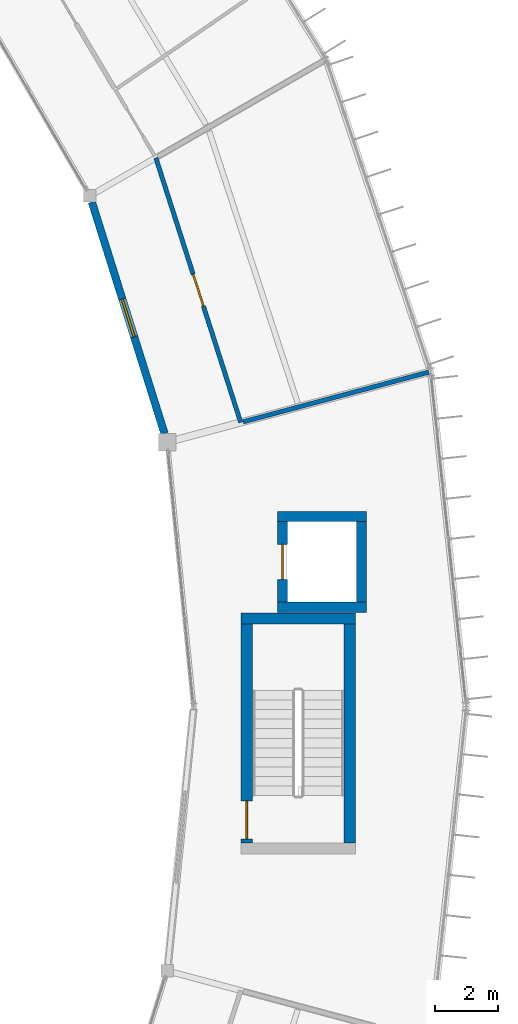
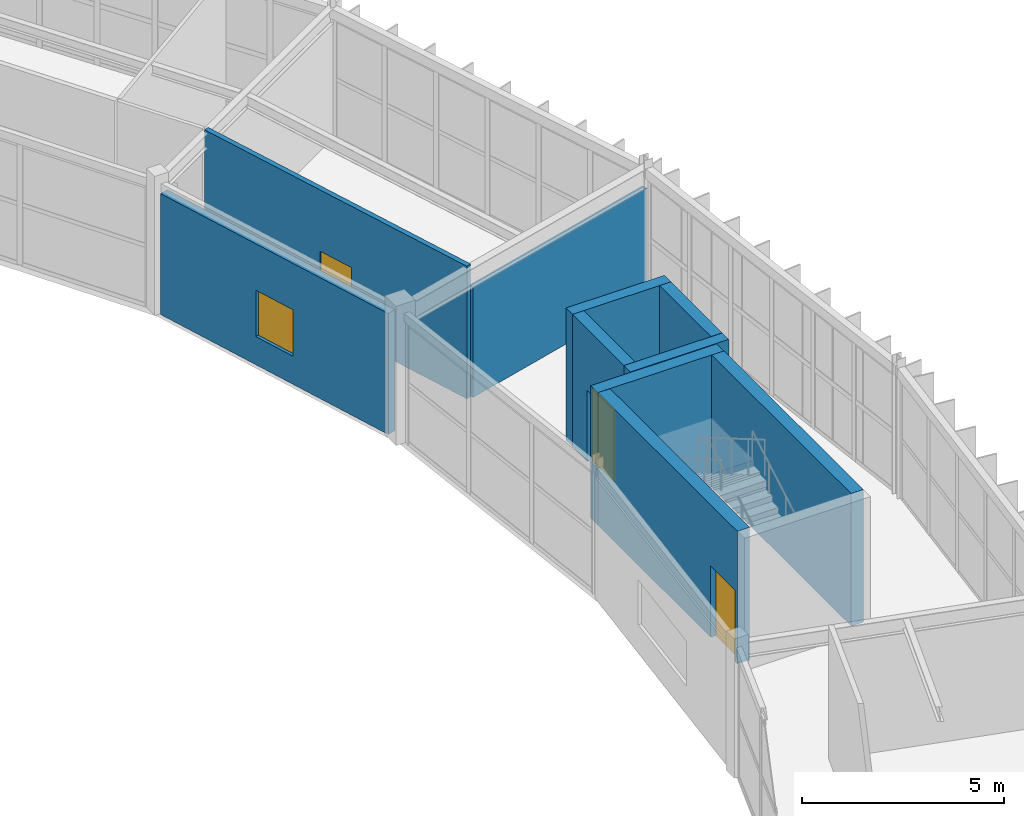
# One storey, part 94 of 106: 10 walls, 3 doors, 1 window, 4 openings.
"""IFC4 building model written with IfcOpenShell, lengths in metres."""

from ifc_helpers import new_model, si_unit, direction, frame, frame_2d, origin, place, context, subcontext, project, spatial, rectangle, extrude, material, layer, layer_set, type_object, element, fill, save


model = new_model("IFC4")

# Units and contexts
model_context = context("Model", 3, precision=1e-05, world=origin(), true_north=direction((0.0, 1.0)))
body_context = subcontext(model_context, "Body", "Model", "MODEL_VIEW")
ifc_project = project(units=[si_unit("LENGTHUNIT", "METRE"), si_unit("AREAUNIT", "SQUARE_METRE"), si_unit("VOLUMEUNIT", "CUBIC_METRE"), si_unit("PLANEANGLEUNIT", "RADIAN"), si_unit("MASSUNIT", "GRAM", prefix="KILO")], contexts=[model_context])

# Site, building, storey
site_placement = place(None, origin())
site = spatial("IfcSite", under=ifc_project, at=site_placement, CompositionType="ELEMENT")
building_placement = place(site_placement, origin())
building = spatial("IfcBuilding", under=site, at=building_placement, Name="Karori Crest Natural Sciences Institute", CompositionType="ELEMENT")
storey_placement = place(building_placement, frame((0.0, 0.0, 25.89990234375)))
storey = spatial("IfcBuildingStorey", under=building, at=storey_placement, Name="L06", CompositionType="ELEMENT", Elevation=25.89990234375)

# Wall
ifc_material_1 = material(Name="Concrete 50 MPa", Category="concrete")
ifc_layer_1 = layer(ifc_material_1, 0.35009765625, Name="Concrete 50 MPa")
ifc_layer_set_1 = layer_set([ifc_layer_1], Name="Concrete 50 MPa")
wall_type_1 = type_object("IfcWallType", Name="IWT-02", PredefinedType="SHEAR", material=ifc_layer_set_1)
wall_1_placement = place(storey_placement, frame((92.300048828125, 52.675048828125, 0.0), z_axis=(0.0, 0.0, 1.0), x_axis=(1.0, 0.0, 0.0)))
element("IfcWall", 1, at=wall_1_placement, inside=storey, type_object=wall_type_1, Name="Shear wall IW-0030", PredefinedType="SHEAR", context=body_context, shape_type="SweptSolid", body=[
    extrude(rectangle(XDim=3.599853515625, YDim=0.35009765625, at=frame_2d((1.7998046875, 0.0))), origin(), (0.0, 0.0, 1.0), 4.0),
])

# Wall, opening, door
wall_2_placement = place(storey_placement, frame((92.47509765625, 45.60205078125, 0.0), z_axis=(0.0, 0.0, 1.0), x_axis=(0.0, 1.0, 0.0)))
wall_2 = element("IfcWall", 2, at=wall_2_placement, inside=storey, type_object=wall_type_1, Name="Shear wall IW-0031", PredefinedType="SHEAR", context=body_context, shape_type="SweptSolid", body=[
    extrude(rectangle(XDim=6.89599609375, YDim=0.35009765625, at=frame_2d((3.447998046875, 0.0))), origin(), (0.0, 0.0, 1.0), 4.0),
])
opening_1_placement = place(wall_2_placement, frame((0.1201171875, 0.0, 0.0)))
opening_1 = element("IfcOpeningElement", 3, at=opening_1_placement, cuts=wall_2, Name="Opening ID-0008", PredefinedType="OPENING", context=body_context, shape_type="SweptSolid", body=[
    extrude(rectangle(XDim=1.199951171875, YDim=2.14990234375, at=frame_2d((0.60009765625, 1.074951171875))), frame((0.0, 0.18505859375, 0.0), z_axis=(0.0, -1.0, 0.0), x_axis=(1.0, 0.0, 0.0)), (0.0, 0.0, 1.0), 0.3701171875),
])
ifc_material_2 = material(Name="Stainless steel 316 and fire-rated timber", Category="steel")
door_type_1 = type_object("IfcDoorType", Name="IDT-01", OperationType="NOTDEFINED", PredefinedType="DOOR", material=ifc_material_2)
door_1_placement = place(opening_1_placement, origin())
door_1 = element("IfcDoor", 4, at=door_1_placement, inside=storey, type_object=door_type_1, Name="Stair ST-01 fire door ID-0008", OperationType="SINGLE_SWING_RIGHT", OverallHeight=2.14990234375, OverallWidth=1.199951171875, PredefinedType="DOOR", context=body_context, shape_type="SweptSolid", body=[
    extrude(rectangle(XDim=1.199951171875, YDim=2.14990234375, at=frame_2d((0.60009765625, 1.074951171875))), frame((0.0, 0.02490234375, 0.0), z_axis=(0.0, -1.0, 0.0), x_axis=(1.0, 0.0, 0.0)), (0.0, 0.0, 1.0), 0.050048828125),
])
fill(opening_1, door_1)

# Walls
wall_3_placement = place(storey_placement, frame((95.72509765625, 45.60205078125, 0.0), z_axis=(0.0, 0.0, 1.0), x_axis=(0.0, 1.0, 0.0)))
element("IfcWall", 5, at=wall_3_placement, inside=storey, type_object=wall_type_1, Name="Shear wall IW-0032", PredefinedType="SHEAR", context=body_context, shape_type="SweptSolid", body=[
    extrude(rectangle(XDim=6.89599609375, YDim=0.35009765625, at=frame_2d((3.447998046875, 0.0))), origin(), (0.0, 0.0, 1.0), 4.0),
])
ifc_layer_2 = layer(ifc_material_1, 0.320068359375, Name="Concrete 50 MPa")
ifc_layer_set_2 = layer_set([ifc_layer_2], Name="Concrete 50 MPa")
wall_type_2 = type_object("IfcWallType", Name="IWT-03", PredefinedType="SHEAR", material=ifc_layer_set_2)
for number, where, z_axis, x_axis, name in (
    (6, (93.445068359375, 53.030029296875, 0.0), (0.0, 0.0, 1.0), (1.0, 0.0, 0.0), "Shear wall IW-0429"),
    (7, (93.445068359375, 55.89501953125, 0.0), (0.0, 0.0, 1.0), (1.0, 0.0, 0.0), "Shear wall IW-0430"),
):
    element("IfcWall", number, at=place(storey_placement, frame(where, z_axis=z_axis, x_axis=x_axis)), inside=storey, type_object=wall_type_2, Name=name, PredefinedType="SHEAR", context=body_context, shape_type="SweptSolid", body=[
        extrude(rectangle(XDim=2.809814453125, YDim=0.320068359375, at=frame_2d((1.40478515625, 0.0))), origin(), (0.0, 0.0, 1.0), 4.0),
    ])

# Wall, opening, door
wall_4_placement = place(storey_placement, frame((93.60498046875, 53.19189453125, 0.0), z_axis=(0.0, 0.0, 1.0), x_axis=(0.0, 1.0, 0.0)))
wall_4 = element("IfcWall", 8, at=wall_4_placement, inside=storey, type_object=wall_type_2, Name="Shear wall IW-0431", PredefinedType="SHEAR", context=body_context, shape_type="SweptSolid", body=[
    extrude(rectangle(XDim=2.541015625, YDim=0.320068359375, at=frame_2d((1.2705078125, 0.0))), origin(), (0.0, 0.0, 1.0), 4.0),
])
opening_2_placement = place(wall_4_placement, frame((0.720458984375, 0.0, 0.0)))
opening_2 = element("IfcOpeningElement", 9, at=opening_2_placement, cuts=wall_4, Name="Opening LD-0032", PredefinedType="OPENING", context=body_context, shape_type="SweptSolid", body=[
    extrude(rectangle(XDim=1.10009765625, YDim=2.14990234375, at=frame_2d((0.550048828125, 1.074951171875))), frame((0.0, 0.169921875, 0.0), z_axis=(0.0, -1.0, 0.0), x_axis=(1.0, 0.0, 0.0)), (0.0, 0.0, 1.0), 0.340087890625),
])
door_type_2 = type_object("IfcDoorType", Name="LDT-01", OperationType="SLIDING_TO_LEFT", PredefinedType="DOOR", material=ifc_material_2)
door_2_placement = place(opening_2_placement, origin())
door_2 = element("IfcDoor", 10, at=door_2_placement, inside=storey, type_object=door_type_2, Name="Lift LP-01 landing door LD-0032", OperationType="SLIDING_TO_LEFT", OverallHeight=2.14990234375, OverallWidth=1.10009765625, PredefinedType="DOOR", context=body_context, shape_type="SweptSolid", body=[
    extrude(rectangle(XDim=1.10009765625, YDim=2.14990234375, at=frame_2d((0.550048828125, 1.074951171875))), frame((0.0, 0.02490234375, 0.0), z_axis=(0.0, -1.0, 0.0), x_axis=(1.0, 0.0, 0.0)), (0.0, 0.0, 1.0), 0.050048828125),
])
fill(opening_2, door_2)

# Wall
wall_5_placement = place(storey_placement, frame((96.094970703125, 53.19189453125, 0.0), z_axis=(0.0, 0.0, 1.0), x_axis=(0.0, 1.0, 0.0)))
element("IfcWall", 11, at=wall_5_placement, inside=storey, type_object=wall_type_2, Name="Shear wall IW-0432", PredefinedType="SHEAR", context=body_context, shape_type="SweptSolid", body=[
    extrude(rectangle(XDim=2.541015625, YDim=0.320068359375, at=frame_2d((1.2705078125, 0.0))), origin(), (0.0, 0.0, 1.0), 4.0),
])

# Wall, opening, door
ifc_material_3 = material(Name="Laboratory acoustic drywall partition")
ifc_layer_3 = layer(ifc_material_3, 0.139892578125, Name="Laboratory acoustic drywall partition")
ifc_layer_set_3 = layer_set([ifc_layer_3], Name="Laboratory acoustic drywall partition")
wall_type_3 = type_object("IfcWallType", Name="IWT-07", PredefinedType="PARTITIONING", material=ifc_layer_set_3)
wall_6_placement = place(storey_placement, frame((92.286865234375, 58.85498046875, 0.0), z_axis=(0.0, 0.0, 1.0), x_axis=(-0.30548522006, 0.952196818061, 0.0)))
wall_6 = element("IfcWall", 12, at=wall_6_placement, inside=storey, type_object=wall_type_3, Name="Partition wall IW-1419", PredefinedType="PARTITIONING", context=body_context, shape_type="SweptSolid", body=[
    extrude(rectangle(XDim=8.763916015625, YDim=0.139892578125, at=frame_2d((4.3818359375, 0.0))), origin(), (0.0, 0.0, 1.0), 4.0),
])
opening_3_placement = place(wall_6_placement, frame((3.85693359375, 0.0, 0.0)))
opening_3 = element("IfcOpeningElement", 13, at=opening_3_placement, cuts=wall_6, Name="Opening ID-0453", PredefinedType="OPENING", context=body_context, shape_type="SweptSolid", body=[
    extrude(rectangle(XDim=1.050048828125, YDim=2.14990234375, at=frame_2d((0.52490234375, 1.074951171875))), frame((0.0, 0.080078125, 0.0), z_axis=(0.0, -1.0, 0.0), x_axis=(1.0, 0.0, 0.0)), (0.0, 0.0, 1.0), 0.159912109375),
])
door_type_3 = type_object("IfcDoorType", Name="IDT-03", OperationType="NOTDEFINED", PredefinedType="DOOR", material=ifc_material_2)
door_3_placement = place(opening_3_placement, origin())
door_3 = element("IfcDoor", 14, at=door_3_placement, inside=storey, type_object=door_type_3, Name="Wet Biology Laboratory door ID-0453", OperationType="SINGLE_SWING_LEFT", OverallHeight=2.14990234375, OverallWidth=1.050048828125, PredefinedType="DOOR", context=body_context, shape_type="SweptSolid", body=[
    extrude(rectangle(XDim=1.050048828125, YDim=2.14990234375, at=frame_2d((0.52490234375, 1.074951171875))), frame((0.0, 0.02490234375, 0.0), z_axis=(0.0, -1.0, 0.0), x_axis=(1.0, 0.0, 0.0)), (0.0, 0.0, 1.0), 0.050048828125),
])
fill(opening_3, door_3)

# Wall
wall_7_placement = place(storey_placement, frame((92.364013671875, 58.875732421875, 0.0), z_axis=(0.0, 0.0, 1.0), x_axis=(0.96591927772, 0.258843483457, 0.0)))
element("IfcWall", 15, at=wall_7_placement, inside=storey, type_object=wall_type_3, Name="Partition wall IW-1420", PredefinedType="PARTITIONING", context=body_context, shape_type="SweptSolid", body=[
    extrude(rectangle(XDim=6.06005859375, YDim=0.139892578125, at=frame_2d((3.030029296875, 0.0))), origin(), (0.0, 0.0, 1.0), 3.322998046875),
])

# Wall, opening, window
ifc_material_4 = material(Name="Precast concrete 40 MPa", Category="concrete")
ifc_layer_4 = layer(ifc_material_4, 0.239990234375, Name="Precast concrete 40 MPa")
ifc_layer_set_4 = layer_set([ifc_layer_4], Name="Precast concrete 40 MPa")
wall_type_4 = type_object("IfcWallType", Name="WT-04", PredefinedType="SOLIDWALL", material=ifc_layer_set_4)
wall_8_placement = place(storey_placement, frame((89.8828125, 58.507080078125, 0.0), z_axis=(0.0, 0.0, 1.0), x_axis=(-0.299452933333, 0.954111073575, 0.0)))
wall_8 = element("IfcWall", 16, at=wall_8_placement, inside=storey, type_object=wall_type_4, Name="Exterior wall EW-0104", PredefinedType="SOLIDWALL", context=body_context, shape_type="SweptSolid", body=[
    extrude(rectangle(XDim=7.645751953125, YDim=0.239990234375, at=frame_2d((3.82275390625, 0.0))), origin(), (0.0, 0.0, 1.0), 3.650146484375),
])
opening_4_placement = place(wall_8_placement, frame((3.197998046875, 0.0, 0.85009765625)))
opening_4 = element("IfcOpeningElement", 17, at=opening_4_placement, cuts=wall_8, Name="Opening WN-0049", PredefinedType="OPENING", context=body_context, shape_type="SweptSolid", body=[
    extrude(rectangle(XDim=1.25, YDim=1.39990234375, at=frame_2d((0.625, 0.699951171875))), frame((0.0, 0.1298828125, 0.0), z_axis=(0.0, -1.0, 0.0), x_axis=(1.0, 0.0, 0.0)), (0.0, 0.0, 1.0), 0.260009765625),
])
ifc_material_5 = material(Name="Double low-E laminated glass", Category="glass")
window_type = type_object("IfcWindowType", Name="WNT-02", PartitioningType="SINGLE_PANEL", PredefinedType="WINDOW", material=ifc_material_5)
window_placement = place(opening_4_placement, origin())
window = element("IfcWindow", 18, at=window_placement, inside=storey, type_object=window_type, Name="Window WN-0049", OverallHeight=1.39990234375, OverallWidth=1.25, PartitioningType="SINGLE_PANEL", PredefinedType="WINDOW", context=body_context, shape_type="SweptSolid", body=[
    extrude(rectangle(XDim=1.25, YDim=1.39990234375, at=frame_2d((0.625, 0.699951171875))), frame((0.0, 0.030029296875, 0.0), z_axis=(0.0, -1.0, 0.0), x_axis=(1.0, 0.0, 0.0)), (0.0, 0.0, 1.0), 0.06005859375),
])
fill(opening_4, window)

save(model, "model.ifc")
